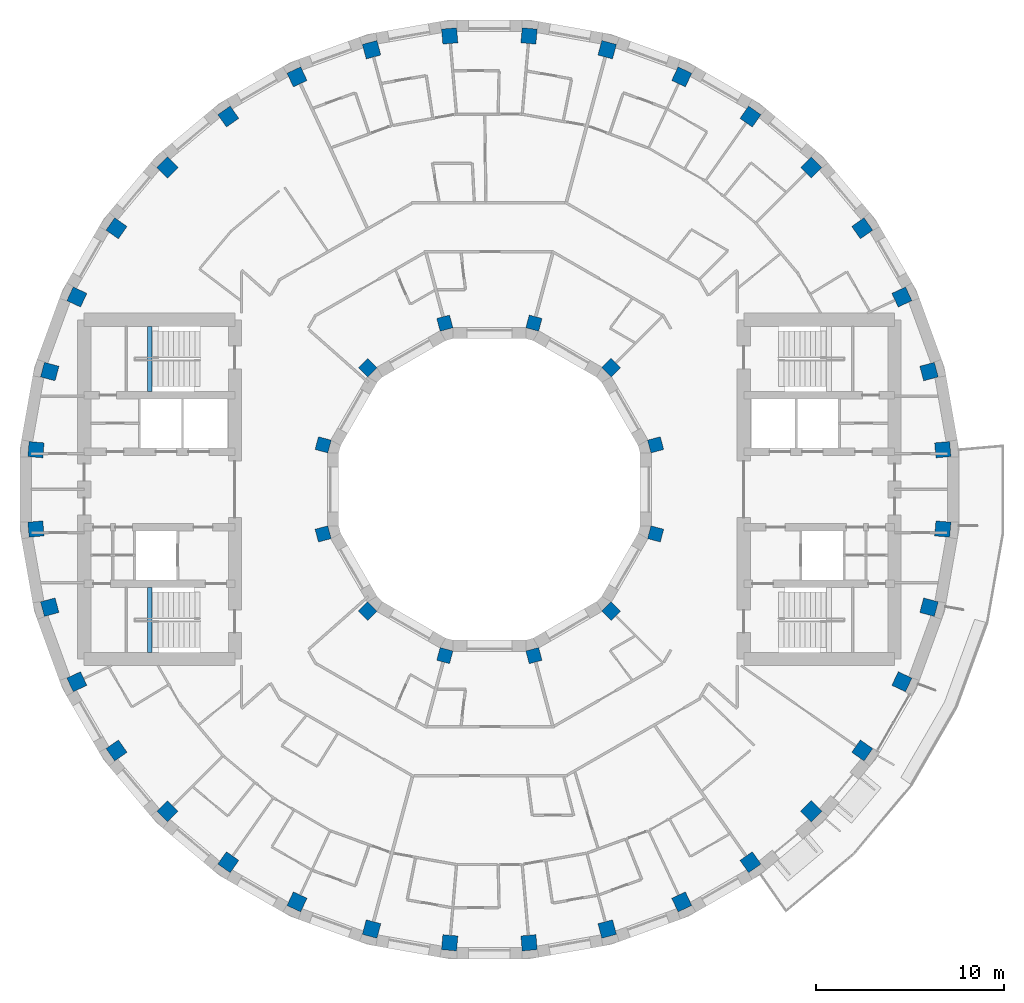
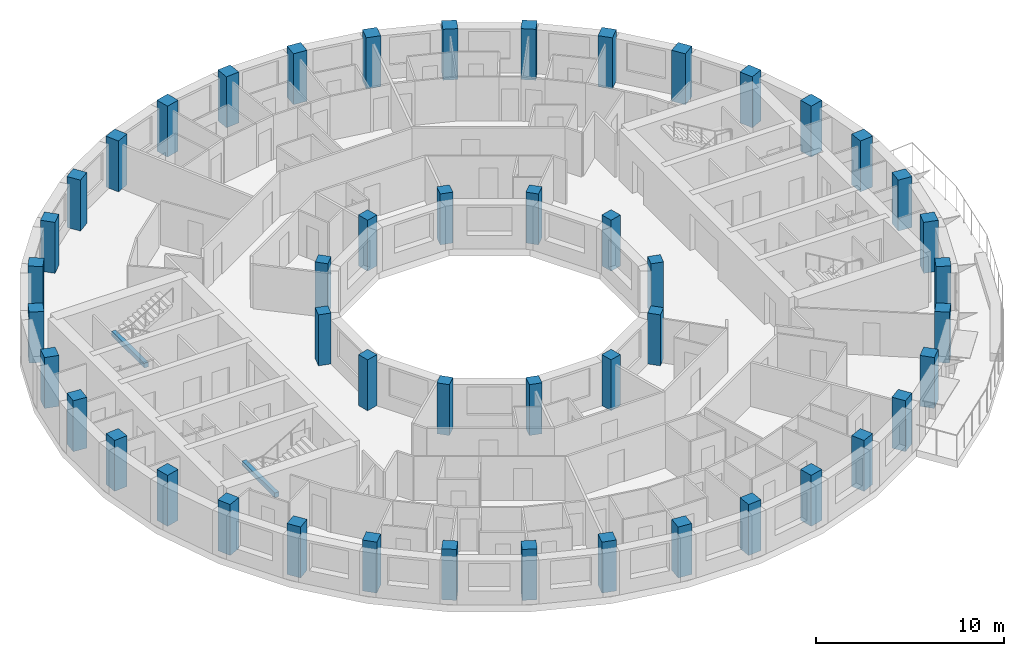
# One storey, part 1 of 14: 48 columns, 2 beams.
"""IFC4 building model written with IfcOpenShell, lengths in metres."""

from ifc_helpers import new_model, si_unit, direction, frame, origin, origin_2d, place, context, subcontext, project, spatial, rectangle, extrude, material, material_profile, profile_set, type_object, element, save


model = new_model("IFC4")

# Units and contexts
model_context = context("Model", 3, precision=1e-05, world=origin(), true_north=direction((0.0, 1.0)))
body_context = subcontext(model_context, "Body", "Model", "MODEL_VIEW")
ifc_project = project(units=[si_unit("LENGTHUNIT", "METRE"), si_unit("AREAUNIT", "SQUARE_METRE"), si_unit("VOLUMEUNIT", "CUBIC_METRE"), si_unit("PLANEANGLEUNIT", "RADIAN"), si_unit("MASSUNIT", "GRAM", prefix="KILO")], contexts=[model_context])

# Site, building, storey
site_placement = place(None, origin())
site = spatial("IfcSite", under=ifc_project, at=site_placement, CompositionType="ELEMENT")
building_placement = place(site_placement, origin())
building = spatial("IfcBuilding", under=site, at=building_placement, Name="Saqina Gate Tower", CompositionType="ELEMENT")
storey_placement = place(building_placement, frame((0.0, 0.0, 174.0)))
storey = spatial("IfcBuildingStorey", under=building, at=storey_placement, Name="L49", CompositionType="ELEMENT", Elevation=174.0)

# Columns
ifc_material_1 = material(Name="Concrete C60/75", Category="concrete")
ifc_material_profile_1 = material_profile(ifc_material_1, rectangle(XDim=0.699951171875, YDim=0.699951171875, at=origin_2d()), Name="RC 700x700")
ifc_profile_set_1 = profile_set([ifc_material_profile_1], Name="Concrete C60/75")
column_type_1 = type_object("IfcColumnType", Name="STR-COL-IN-C", PredefinedType="COLUMN", material=ifc_profile_set_1)
for number, where, z_axis, x_axis, name in (
    (1, (8.821044921875, 2.363525390625, 0.0), (0.0, 0.0, 1.0), (0.965925826289, 0.258819045103, 0.0), "L49-ICL01"),
    (2, (6.45751953125, 6.45751953125, 0.0), (0.0, 0.0, 1.0), (0.707106781187, 0.707106781187, 0.0), "L49-ICL02"),
    (3, (2.363525390625, 8.821044921875, 0.0), (0.0, 0.0, 1.0), (0.258819045103, 0.965925826289, 0.0), "L49-ICL03"),
    (4, (-2.363525390625, 8.821044921875, 0.0), (0.0, 0.0, 1.0), (-0.258819045103, 0.965925826289, 0.0), "L49-ICL04"),
    (5, (-6.45751953125, 6.45751953125, 0.0), (0.0, 0.0, 1.0), (-0.707106781187, 0.707106781187, 0.0), "L49-ICL05"),
    (6, (-8.821044921875, 2.363525390625, 0.0), (0.0, 0.0, 1.0), (-0.965925826289, 0.258819045103, 0.0), "L49-ICL06"),
    (7, (-8.821044921875, -2.363525390625, 0.0), (0.0, 0.0, 1.0), (-0.965925826289, -0.258819045103, 0.0), "L49-ICL07"),
    (8, (-6.45751953125, -6.45751953125, 0.0), (0.0, 0.0, 1.0), (-0.707106781187, -0.707106781187, 0.0), "L49-ICL08"),
    (9, (-2.363525390625, -8.821044921875, 0.0), (0.0, 0.0, 1.0), (-0.258819045103, -0.965925826289, 0.0), "L49-ICL09"),
    (10, (2.363525390625, -8.821044921875, 0.0), (0.0, 0.0, 1.0), (0.258819045103, -0.965925826289, 0.0), "L49-ICL10"),
    (11, (6.45751953125, -6.45751953125, 0.0), (0.0, 0.0, 1.0), (0.707106781187, -0.707106781187, 0.0), "L49-ICL11"),
    (12, (8.821044921875, -2.363525390625, 0.0), (0.0, 0.0, 1.0), (0.965925826289, -0.258819045103, 0.0), "L49-ICL12"),
):
    element("IfcColumn", number, at=place(storey_placement, frame(where, z_axis=z_axis, x_axis=x_axis)), inside=storey, type_object=column_type_1, Name=name, PredefinedType="COLUMN", context=body_context, shape_type="SweptSolid", body=[
        extrude(rectangle(XDim=0.699951171875, YDim=0.699951171875, at=origin_2d()), origin(), (0.0, 0.0, 1.0), 3.300048828125),
    ])
ifc_material_2 = material(Name="Concrete C60/75", Category="concrete")
ifc_material_profile_2 = material_profile(ifc_material_2, rectangle(XDim=0.800048828125, YDim=0.800048828125, at=origin_2d()), Name="RC 800x800")
ifc_profile_set_2 = profile_set([ifc_material_profile_2], Name="Concrete C60/75")
column_type_2 = type_object("IfcColumnType", Name="STR-COL-OUT-C", PredefinedType="COLUMN", material=ifc_profile_set_2)
for number, where, z_axis, x_axis, name in (
    (13, (24.05810546875, 2.104736328125, 0.0), (0.0, 0.0, 1.0), (0.996194698092, 0.087155742748, 0.0), "L49-COL01"),
    (14, (23.3271484375, 6.25048828125, 0.0), (0.0, 0.0, 1.0), (0.965925826289, 0.258819045103, 0.0), "L49-COL02"),
    (15, (21.887451171875, 10.206298828125, 0.0), (0.0, 0.0, 1.0), (0.906307787037, 0.422618261741, 0.0), "L49-COL03"),
    (16, (19.782470703125, 13.851806640625, 0.0), (0.0, 0.0, 1.0), (0.819152044289, 0.573576436351, 0.0), "L49-COL04"),
    (17, (17.07666015625, 17.07666015625, 0.0), (0.0, 0.0, 1.0), (0.707106781187, 0.707106781187, 0.0), "L49-COL05"),
    (18, (13.851806640625, 19.782470703125, 0.0), (0.0, 0.0, 1.0), (0.573576436351, 0.819152044289, 0.0), "L49-COL06"),
    (19, (10.206298828125, 21.887451171875, 0.0), (0.0, 0.0, 1.0), (0.422618261741, 0.906307787037, 0.0), "L49-COL07"),
    (20, (6.25048828125, 23.3271484375, 0.0), (0.0, 0.0, 1.0), (0.258819045103, 0.965925826289, 0.0), "L49-COL08"),
    (21, (2.104736328125, 24.05810546875, 0.0), (0.0, 0.0, 1.0), (0.087155742748, 0.996194698092, 0.0), "L49-COL09"),
    (22, (-2.104736328125, 24.05810546875, 0.0), (0.0, 0.0, 1.0), (-0.087155742748, 0.996194698092, 0.0), "L49-COL10"),
    (23, (-6.25048828125, 23.3271484375, 0.0), (0.0, 0.0, 1.0), (-0.258819045103, 0.965925826289, 0.0), "L49-COL11"),
    (24, (-10.206298828125, 21.887451171875, 0.0), (0.0, 0.0, 1.0), (-0.422618261741, 0.906307787037, 0.0), "L49-COL12"),
    (25, (-13.851806640625, 19.782470703125, 0.0), (0.0, 0.0, 1.0), (-0.573576436351, 0.819152044289, 0.0), "L49-COL13"),
    (26, (-17.07666015625, 17.07666015625, 0.0), (0.0, 0.0, 1.0), (-0.707106781187, 0.707106781187, 0.0), "L49-COL14"),
    (27, (-19.782470703125, 13.851806640625, 0.0), (0.0, 0.0, 1.0), (-0.819152044289, 0.573576436351, 0.0), "L49-COL15"),
    (28, (-21.887451171875, 10.206298828125, 0.0), (0.0, 0.0, 1.0), (-0.906307787037, 0.422618261741, 0.0), "L49-COL16"),
    (29, (-23.3271484375, 6.25048828125, 0.0), (0.0, 0.0, 1.0), (-0.965925826289, 0.258819045103, 0.0), "L49-COL17"),
    (30, (-24.05810546875, 2.104736328125, 0.0), (0.0, 0.0, 1.0), (-0.996194698092, 0.087155742748, 0.0), "L49-COL18"),
    (31, (-24.05810546875, -2.104736328125, 0.0), (0.0, 0.0, 1.0), (-0.996194698092, -0.087155742748, 0.0), "L49-COL19"),
    (32, (-23.3271484375, -6.25048828125, 0.0), (0.0, 0.0, 1.0), (-0.965925826289, -0.258819045103, 0.0), "L49-COL20"),
    (33, (-21.887451171875, -10.206298828125, 0.0), (0.0, 0.0, 1.0), (-0.906307787037, -0.422618261741, 0.0), "L49-COL21"),
    (34, (-19.782470703125, -13.851806640625, 0.0), (0.0, 0.0, 1.0), (-0.819152044289, -0.573576436351, 0.0), "L49-COL22"),
    (35, (-17.07666015625, -17.07666015625, 0.0), (0.0, 0.0, 1.0), (-0.707106781187, -0.707106781187, 0.0), "L49-COL23"),
    (36, (-13.851806640625, -19.782470703125, 0.0), (0.0, 0.0, 1.0), (-0.573576436351, -0.819152044289, 0.0), "L49-COL24"),
    (37, (-10.206298828125, -21.887451171875, 0.0), (0.0, 0.0, 1.0), (-0.422618261741, -0.906307787037, 0.0), "L49-COL25"),
    (38, (-6.25048828125, -23.3271484375, 0.0), (0.0, 0.0, 1.0), (-0.258819045103, -0.965925826289, 0.0), "L49-COL26"),
    (39, (-2.104736328125, -24.05810546875, 0.0), (0.0, 0.0, 1.0), (-0.087155742748, -0.996194698092, 0.0), "L49-COL27"),
    (40, (2.104736328125, -24.05810546875, 0.0), (0.0, 0.0, 1.0), (0.087155742748, -0.996194698092, 0.0), "L49-COL28"),
    (41, (6.25048828125, -23.3271484375, 0.0), (0.0, 0.0, 1.0), (0.258819045103, -0.965925826289, 0.0), "L49-COL29"),
    (42, (10.206298828125, -21.887451171875, 0.0), (0.0, 0.0, 1.0), (0.422618261741, -0.906307787037, 0.0), "L49-COL30"),
    (43, (13.851806640625, -19.782470703125, 0.0), (0.0, 0.0, 1.0), (0.573576436351, -0.819152044289, 0.0), "L49-COL31"),
    (44, (17.07666015625, -17.07666015625, 0.0), (0.0, 0.0, 1.0), (0.707106781187, -0.707106781187, 0.0), "L49-COL32"),
    (45, (19.782470703125, -13.851806640625, 0.0), (0.0, 0.0, 1.0), (0.819152044289, -0.573576436351, 0.0), "L49-COL33"),
    (46, (21.887451171875, -10.206298828125, 0.0), (0.0, 0.0, 1.0), (0.906307787037, -0.422618261741, 0.0), "L49-COL34"),
    (47, (23.3271484375, -6.25048828125, 0.0), (0.0, 0.0, 1.0), (0.965925826289, -0.258819045103, 0.0), "L49-COL35"),
    (48, (24.05810546875, -2.104736328125, 0.0), (0.0, 0.0, 1.0), (0.996194698092, -0.087155742748, 0.0), "L49-COL36"),
):
    element("IfcColumn", number, at=place(storey_placement, frame(where, z_axis=z_axis, x_axis=x_axis)), inside=storey, type_object=column_type_2, Name=name, PredefinedType="COLUMN", context=body_context, shape_type="SweptSolid", body=[
        extrude(rectangle(XDim=0.800048828125, YDim=0.800048828125, at=origin_2d()), origin(), (0.0, 0.0, 1.0), 3.300048828125),
    ])

# Beams
ifc_material_3 = material(Name="Concrete C40/50", Category="concrete")
ifc_material_profile_3 = material_profile(ifc_material_3, rectangle(XDim=0.25, YDim=0.300048828125, at=origin_2d()), Name="STAIR LANDING BEAM")
ifc_profile_set_3 = profile_set([ifc_material_profile_3], Name="Concrete C40/50")
beam_type = type_object("IfcBeamType", Name="STAIR LANDING BEAM", PredefinedType="BEAM", material=ifc_profile_set_3)
for number, where, z_axis, x_axis, name in (
    (49, (-18.02001953125, 5.199951171875, 1.25), (0.0, 1.0, 0.0), (-1.0, 0.0, 0.0), "EXIT STAIR 3 LANDING BEAM"),
    (50, (-18.02001953125, -8.64990234375, 1.25), (0.0, 1.0, 0.0), (-1.0, 0.0, 0.0), "EXIT STAIR 4 LANDING BEAM"),
):
    element("IfcBeam", number, at=place(storey_placement, frame(where, z_axis=z_axis, x_axis=x_axis)), inside=storey, type_object=beam_type, Name=name, PredefinedType="BEAM", context=body_context, shape_type="SweptSolid", body=[
        extrude(rectangle(XDim=0.25, YDim=0.300048828125, at=origin_2d()), origin(), (0.0, 0.0, 1.0), 3.449951171875),
    ])

save(model, "model.ifc")
